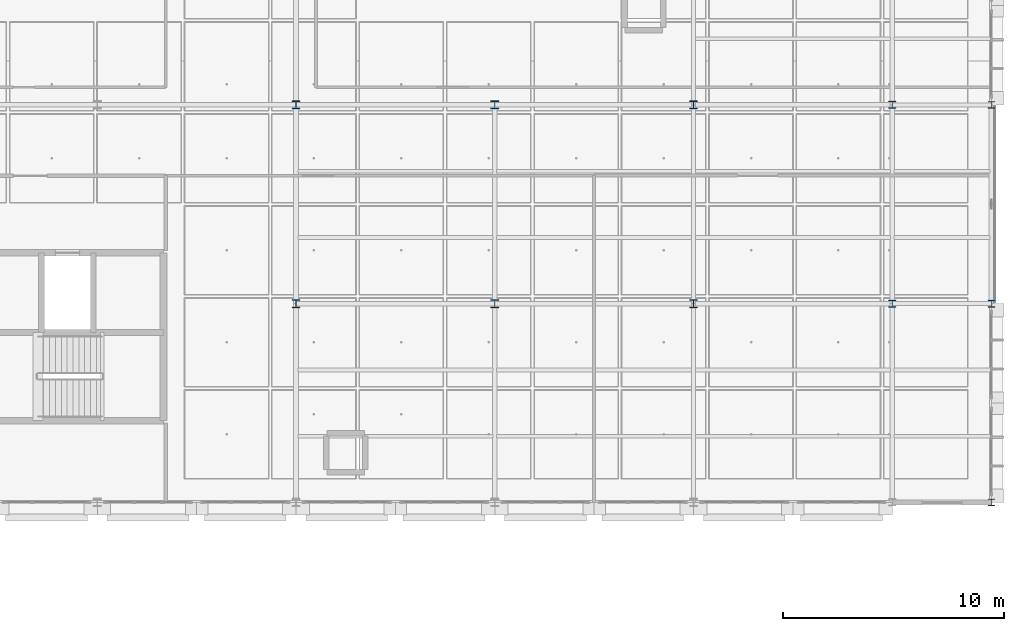
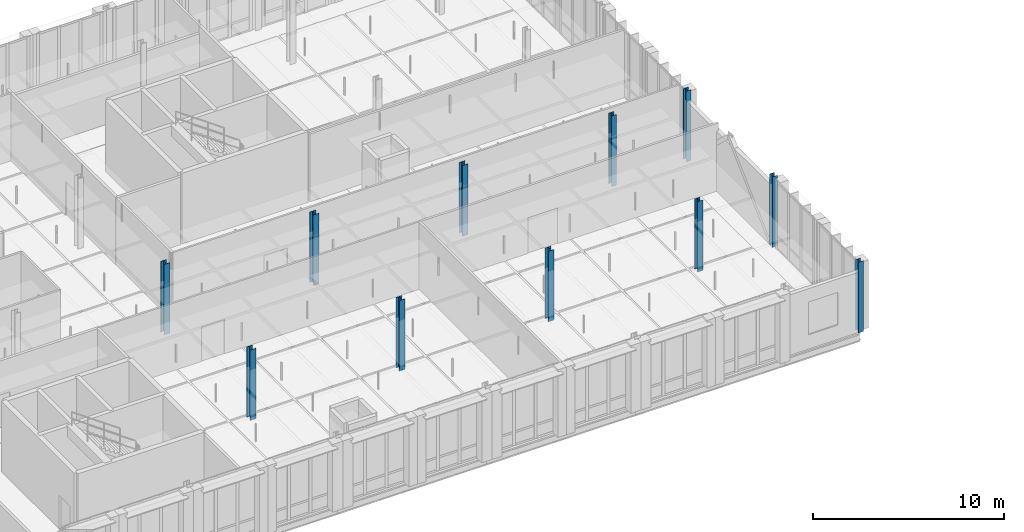
# One storey, part 21 of 130: 11 columns.
"""IFC4 building model written with IfcOpenShell, lengths in metres."""

from ifc_helpers import new_model, si_unit, direction, frame, origin, origin_2d, place, context, subcontext, project, spatial, i_section, extrude, material, material_profile, profile_set, type_object, element, save


model = new_model("IFC4")

# Units and contexts
model_context = context("Model", 3, precision=1e-05, world=origin(), true_north=direction((0.0, 1.0)))
body_context = subcontext(model_context, "Body", "Model", "MODEL_VIEW")
ifc_project = project(units=[si_unit("LENGTHUNIT", "METRE"), si_unit("AREAUNIT", "SQUARE_METRE"), si_unit("VOLUMEUNIT", "CUBIC_METRE"), si_unit("PLANEANGLEUNIT", "RADIAN"), si_unit("MASSUNIT", "GRAM", prefix="KILO"), si_unit("THERMODYNAMICTEMPERATUREUNIT", "KELVIN"), si_unit("POWERUNIT", "WATT")], contexts=[model_context])

# Site, building, storey
site_placement = place(None, origin())
site = spatial("IfcSite", under=ifc_project, at=site_placement, CompositionType="ELEMENT")
building_placement = place(site_placement, origin())
building = spatial("IfcBuilding", under=site, at=building_placement, Name="Tallowbark Science Centre", CompositionType="ELEMENT")
storey_placement = place(building_placement, frame((0.0, 0.0, 5.39990234375)))
storey = spatial("IfcBuildingStorey", under=building, at=storey_placement, Name="L01", CompositionType="ELEMENT", Elevation=5.39990234375)

# Columns
ifc_material = material(Name="Structural Steel Grade 300PLUS (300 MPa)", Category="steel")
ifc_material_profile_1 = material_profile(ifc_material, i_section(OverallWidth=0.307373046875, OverallDepth=0.314697265625, WebThickness=0.011962890625, FlangeThickness=0.018798828125, FilletRadius=0.0166015625, at=origin_2d()), Name="310UC118")
ifc_profile_set_1 = profile_set([ifc_material_profile_1], Name="Structural Steel Grade 300PLUS (300 MPa)")
column_type_1 = type_object("IfcColumnType", Name="COL-UC310C", PredefinedType="COLUMN", material=ifc_profile_set_1)
for number, where, z_axis, x_axis, name in (
    (1, (157.5, 81.0, 0.0), (0.0, 0.0, 1.0), (1.0, 0.0, 0.0), "Column OBS-5_1 L01"),
    (2, (157.5, 90.0, 0.0), (0.0, 0.0, 1.0), (1.0, 0.0, 0.0), "Column OBS-5_2 L01"),
):
    element("IfcColumn", number, at=place(storey_placement, frame(where, z_axis=z_axis, x_axis=x_axis)), inside=storey, type_object=column_type_1, Name=name, PredefinedType="COLUMN", context=body_context, shape_type="SweptSolid", body=[
        extrude(i_section(OverallWidth=0.307373046875, OverallDepth=0.314697265625, WebThickness=0.011962890625, FlangeThickness=0.018798828125, FilletRadius=0.0166015625, at=origin_2d()), origin(), (0.0, 0.0, 1.0), 4.5),
    ])
ifc_material_profile_2 = material_profile(ifc_material, i_section(OverallWidth=0.304931640625, OverallDepth=0.30810546875, WebThickness=0.010009765625, FlangeThickness=0.015380859375, FilletRadius=0.0166015625, at=origin_2d()), Name="310UC96.8")
ifc_profile_set_2 = profile_set([ifc_material_profile_2], Name="Structural Steel Grade 300PLUS (300 MPa)")
column_type_2 = type_object("IfcColumnType", Name="COL-UC310D", PredefinedType="COLUMN", material=ifc_profile_set_2)
for number, where, z_axis, x_axis, name in (
    (3, (162.0, 72.0, 0.0), (0.0, 0.0, 1.0), (1.0, 0.0, 0.0), "Column OBS-6_0 L01"),
    (4, (162.0, 81.0, 0.0), (0.0, 0.0, 1.0), (1.0, 0.0, 0.0), "Column OBS-6_1 L01"),
    (5, (162.0, 90.0, 0.0), (0.0, 0.0, 1.0), (1.0, 0.0, 0.0), "Column OBS-6_2 L01"),
):
    element("IfcColumn", number, at=place(storey_placement, frame(where, z_axis=z_axis, x_axis=x_axis)), inside=storey, type_object=column_type_2, Name=name, PredefinedType="COLUMN", context=body_context, shape_type="SweptSolid", body=[
        extrude(i_section(OverallWidth=0.304931640625, OverallDepth=0.30810546875, WebThickness=0.010009765625, FlangeThickness=0.015380859375, FilletRadius=0.0166015625, at=origin_2d()), origin(), (0.0, 0.0, 1.0), 4.5),
    ])
ifc_material_profile_3 = material_profile(ifc_material, i_section(OverallWidth=0.35009765625, OverallDepth=0.35888671875, WebThickness=0.01611328125, FlangeThickness=0.02392578125, FilletRadius=0.013916015625, at=origin_2d()), Name="350WC197")
ifc_profile_set_3 = profile_set([ifc_material_profile_3], Name="Structural Steel Grade 300PLUS (300 MPa)")
column_type_3 = type_object("IfcColumnType", Name="COL-WC350", PredefinedType="COLUMN", material=ifc_profile_set_3)
for number, where, z_axis, x_axis, name in (
    (6, (130.5, 81.0, 0.0), (0.0, 0.0, 1.0), (1.0, 0.0, 0.0), "Column OBS-2_1 L01"),
    (7, (130.5, 90.0, 0.0), (0.0, 0.0, 1.0), (1.0, 0.0, 0.0), "Column OBS-2_2 L01"),
    (8, (139.5, 81.0, 0.0), (0.0, 0.0, 1.0), (1.0, 0.0, 0.0), "Column OBS-3_1 L01"),
    (9, (139.5, 90.0, 0.0), (0.0, 0.0, 1.0), (1.0, 0.0, 0.0), "Column OBS-3_2 L01"),
    (10, (148.5, 81.0, 0.0), (0.0, 0.0, 1.0), (1.0, 0.0, 0.0), "Column OBS-4_1 L01"),
    (11, (148.5, 90.0, 0.0), (0.0, 0.0, 1.0), (1.0, 0.0, 0.0), "Column OBS-4_2 L01"),
):
    element("IfcColumn", number, at=place(storey_placement, frame(where, z_axis=z_axis, x_axis=x_axis)), inside=storey, type_object=column_type_3, Name=name, PredefinedType="COLUMN", context=body_context, shape_type="SweptSolid", body=[
        extrude(i_section(OverallWidth=0.35009765625, OverallDepth=0.35888671875, WebThickness=0.01611328125, FlangeThickness=0.02392578125, FilletRadius=0.013916015625, at=origin_2d()), origin(), (0.0, 0.0, 1.0), 4.5),
    ])

save(model, "model.ifc")
